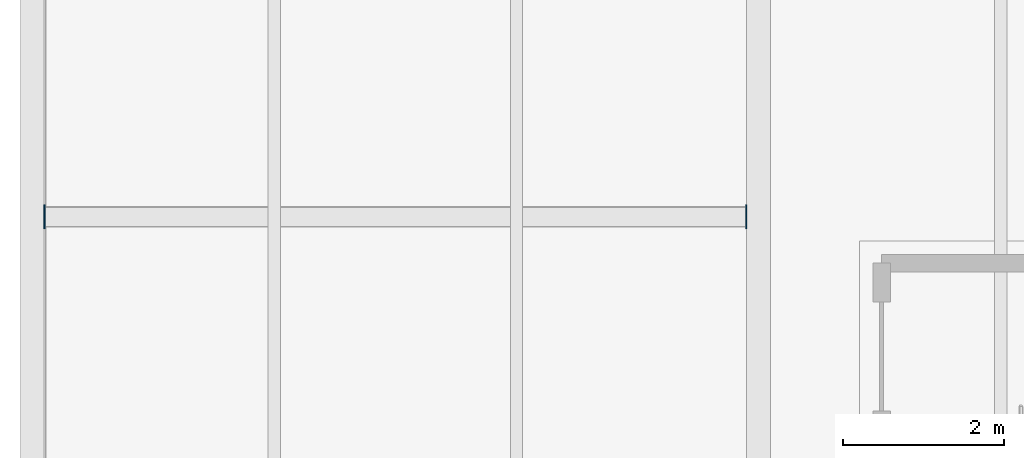
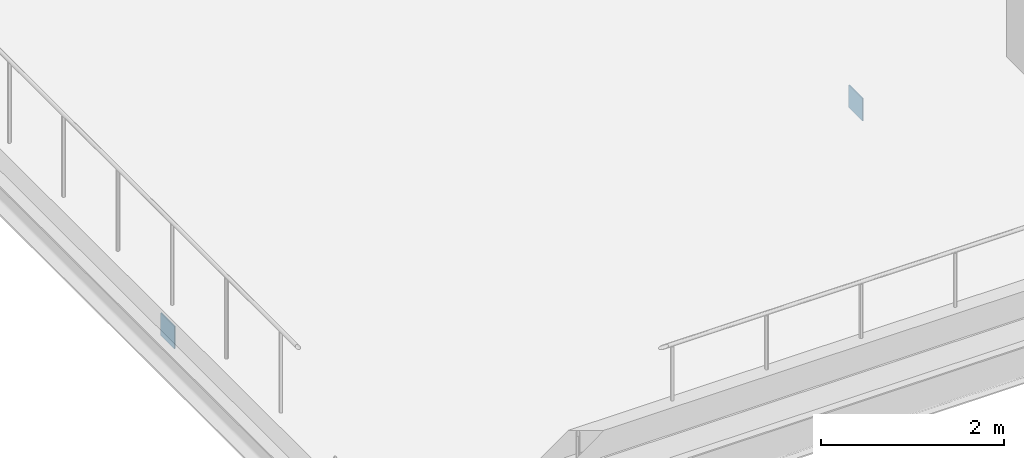
# One storey, part 118 of 152: 2 plates.
"""IFC4 building model written with IfcOpenShell, lengths in metres."""

from ifc_helpers import new_model, si_unit, derived_unit, direction, frame, origin, origin_2d, place, context, subcontext, project, spatial, rectangle, extrude, material, layer, layer_set, type_object, element, save


model = new_model("IFC4")

# Units and contexts
model_context = context("Model", 3, precision=1e-05, world=origin(), true_north=direction((0.0, 1.0)))
body_context = subcontext(model_context, "Body", "Model", "MODEL_VIEW")
ifc_project = project(units=[si_unit("LENGTHUNIT", "METRE"), si_unit("AREAUNIT", "SQUARE_METRE"), si_unit("VOLUMEUNIT", "CUBIC_METRE"), si_unit("PLANEANGLEUNIT", "RADIAN"), si_unit("MASSUNIT", "GRAM", prefix="KILO"), si_unit("THERMODYNAMICTEMPERATUREUNIT", "KELVIN"), si_unit("TIMEUNIT", "SECOND"), derived_unit("THERMALTRANSMITTANCEUNIT", [(si_unit("MASSUNIT", "GRAM", prefix="KILO"), 1), (si_unit("THERMODYNAMICTEMPERATUREUNIT", "KELVIN"), -1), (si_unit("TIMEUNIT", "SECOND"), -3)])], contexts=[model_context])

# Site, building, storey
site_placement = place(None, origin())
site = spatial("IfcSite", under=ifc_project, at=site_placement, CompositionType="ELEMENT")
building_placement = place(site_placement, origin())
building = spatial("IfcBuilding", under=site, at=building_placement, Name="Cambertide Market Hall", CompositionType="ELEMENT")
storey_placement = place(building_placement, frame((0.0, 0.0, 5.39990234375)))
storey = spatial("IfcBuildingStorey", under=building, at=storey_placement, Name="L02", CompositionType="ELEMENT", Elevation=5.39990234375)

# Plates
ifc_material = material(Name="Steel S355", Category="steel")
ifc_layer = layer(ifc_material, 0.013916015625, Name="Steel End Cap Plate EC-02")
ifc_layer_set = layer_set([ifc_layer], Name="Steel S355")
plate_type = type_object("IfcPlateType", Name="Steel End Cap Plate EC-02", PredefinedType="USERDEFINED", material=ifc_layer_set)
for number, where, z_axis, x_axis, name in (
    (1, (12.153076171875, 101.0, -0.56494140625), (0.0, 0.0, 1.0), (1.0, 0.0, 0.0), "Level 2 Terrace Girder End Cap Plate EC-TERR1-W"),
    (2, (20.846923828125, 101.0, -0.56494140625), (0.0, 0.0, 1.0), (1.0, 0.0, 0.0), "Level 2 Terrace Girder End Cap Plate EC-TERR1-E"),
):
    element("IfcPlate", number, at=place(storey_placement, frame(where, z_axis=z_axis, x_axis=x_axis)), inside=storey, type_object=plate_type, Name=name, ObjectType="END CAP PLATE", PredefinedType="USERDEFINED", context=body_context, shape_type="SweptSolid", body=[
        extrude(rectangle(XDim=0.013916015625, YDim=0.300048828125, at=origin_2d()), origin(), (0.0, 0.0, 1.0), 0.300048828125),
    ])

save(model, "model.ifc")
